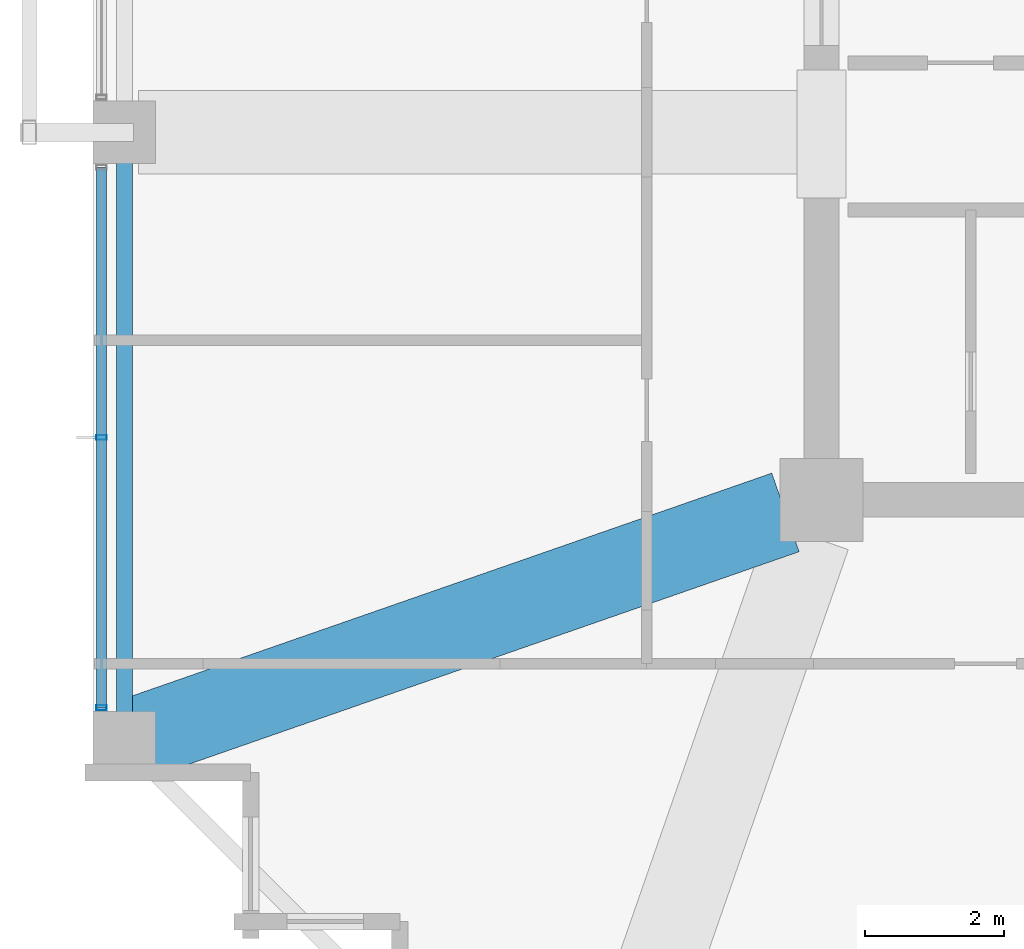
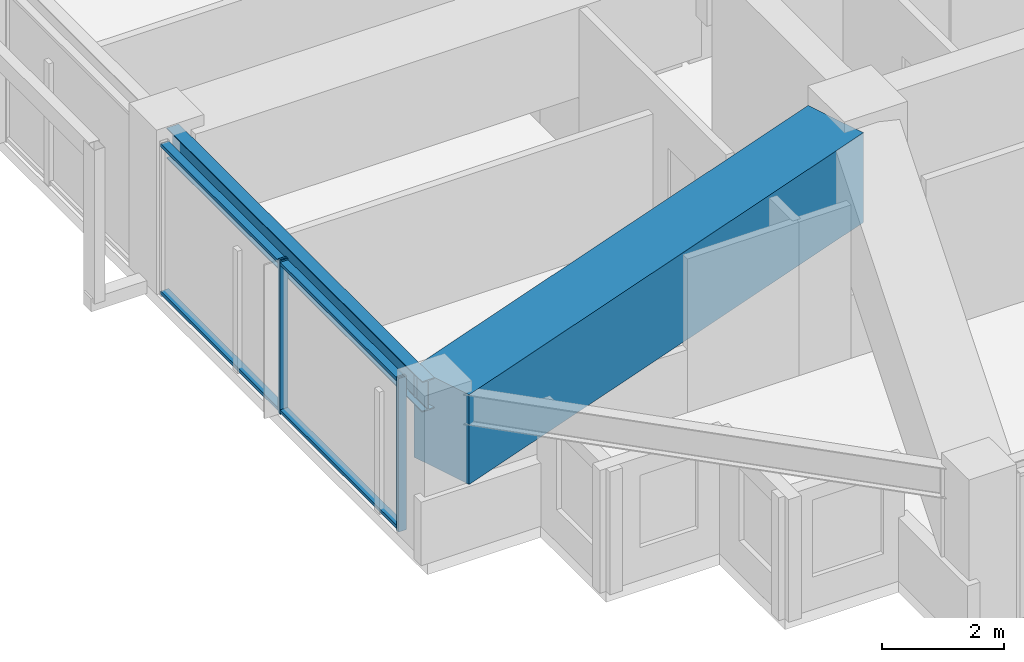
# One storey, part 3 of 37: 4 members, 2 beams, 1 element without a shape of its own.
"""IFC4 building model written with IfcOpenShell, lengths in metres."""

from ifc_helpers import new_model, si_unit, direction, frame, origin, origin_2d, place, context, subcontext, project, spatial, rectangle, hollow_rectangle, i_section, extrude, material, material_profile, profile_set, type_object, element, aggregate, save


model = new_model("IFC4")

# Units and contexts
model_context = context("Model", 3, precision=1e-05, world=origin(), true_north=direction((0.0, 1.0)))
body_context = subcontext(model_context, "Body", "Model", "MODEL_VIEW")
ifc_project = project(units=[si_unit("LENGTHUNIT", "METRE"), si_unit("AREAUNIT", "SQUARE_METRE"), si_unit("VOLUMEUNIT", "CUBIC_METRE"), si_unit("PLANEANGLEUNIT", "RADIAN"), si_unit("MASSUNIT", "GRAM", prefix="KILO")], contexts=[model_context])

# Site, building, storey
site_placement = place(None, origin())
site = spatial("IfcSite", under=ifc_project, at=site_placement, CompositionType="ELEMENT")
building_placement = place(site_placement, origin())
building = spatial("IfcBuilding", under=site, at=building_placement, Name="Kolvaren Belvedere", CompositionType="ELEMENT")
storey_placement = place(building_placement, frame((0.0, 0.0, 186.60009765625)))
storey = spatial("IfcBuildingStorey", under=building, at=storey_placement, Name="L54", CompositionType="ELEMENT", Elevation=186.60009765625)

# Beams
ifc_material_1 = material(Name="Structural steel ASTM A992 Grade 50", Category="steel")
ifc_material_profile_1 = material_profile(ifc_material_1, i_section(OverallWidth=0.22900390625, OverallDepth=0.612060546875, WebThickness=0.011962890625, FlangeThickness=0.01953125, FilletRadius=0.01806640625, at=origin_2d()), Name="W24X84")
ifc_profile_set_1 = profile_set([ifc_material_profile_1], Name="Structural steel ASTM A992 Grade 50")
beam_type_1 = type_object("IfcBeamType", Name="BM-SPAN-W24X84", PredefinedType="SPANDREL", material=ifc_profile_set_1)
beam_1_placement = place(storey_placement, frame((-19.949951171875, -4.802490234375, 2.77392578125), z_axis=(0.0, -1.0, 0.0), x_axis=(1.0, 0.0, 0.0)))
element("IfcBeam", 1, at=beam_1_placement, inside=storey, type_object=beam_type_1, Name="L54 Perimeter Spandrel W2-W1", PredefinedType="SPANDREL", context=body_context, shape_type="SweptSolid", body=[
    extrude(i_section(OverallWidth=0.22900390625, OverallDepth=0.612060546875, WebThickness=0.011962890625, FlangeThickness=0.01953125, FilletRadius=0.01806640625, at=origin_2d()), origin(), (0.0, 0.0, 1.0), 8.39501953125),
])
ifc_material_2 = material(Name="Concrete C50/60", Category="concrete")
ifc_material_profile_2 = material_profile(ifc_material_2, rectangle(XDim=1.199951171875, YDim=1.800048828125, at=origin_2d()), Name="RC 1200X1800")
ifc_profile_set_2 = profile_set([ifc_material_profile_2], Name="Concrete C50/60")
beam_type_2 = type_object("IfcBeamType", Name="BM-TG-1800", PredefinedType="BEAM", material=ifc_profile_set_2)
beam_2_placement = place(storey_placement, frame((-10.41943359375, -10.080810546875, 2.179931640625), z_axis=(-0.944366798861, -0.328894130701, 0.0), x_axis=(0.328894130701, -0.944366798861, 0.0)))
element("IfcBeam", 2, at=beam_2_placement, inside=storey, type_object=beam_type_2, Name="L54 Corner Core-to-Perimeter Girder CC1-W1", PredefinedType="BEAM", context=body_context, shape_type="SweptSolid", body=[
    extrude(rectangle(XDim=1.199951171875, YDim=1.800048828125, at=origin_2d()), origin(), (0.0, 0.0, 1.0), 9.912109375),
])

# Curtain wall, members
ifc_material_3 = material(Name="Anodised pale-metal aluminium AA 6063-T6", Category="aluminium")
curtain_wall_type = type_object("IfcCurtainWallType", Name="CW-Z5-HIGH", PredefinedType="NOTDEFINED", material=ifc_material_3)
curtain_wall_placement = place(storey_placement, origin())
curtain_wall = element("IfcCurtainWall", 3, at=curtain_wall_placement, inside=storey, type_object=curtain_wall_type, Name="L54 Unitised Curtain Wall FCW-L54-W-B1", PredefinedType="NOTDEFINED")
ifc_material_4 = material(Name="Anodised pale-metal aluminium AA 6063-T6", Category="aluminium")
ifc_material_profile_3 = material_profile(ifc_material_4, hollow_rectangle(XDim=0.070068359375, YDim=0.14990234375, WallThickness=0.004150390625, at=origin_2d()), Name="ALU-MUL-150X70")
ifc_profile_set_3 = profile_set([ifc_material_profile_3], Name="Anodised pale-metal aluminium AA 6063-T6")
member_type_1 = type_object("IfcMemberType", Name="CW-MUL-150", PredefinedType="MULLION", material=ifc_profile_set_3)
member_1_placement = place(storey_placement, frame((-20.280029296875, -12.89501953125, 0.0), z_axis=(0.0, 0.0, 1.0), x_axis=(0.0, 1.0, 0.0)))
member_1 = element("IfcMember", 4, at=member_1_placement, type_object=member_type_1, Name="FCW-L54-W-B1 Unitised Mullion 1", PredefinedType="MULLION", context=body_context, shape_type="SweptSolid", body=[
    extrude(hollow_rectangle(XDim=0.070068359375, YDim=0.14990234375, WallThickness=0.004150390625, at=origin_2d()), origin(), (0.0, 0.0, 1.0), 3.079833984375),
])
member_2_placement = place(storey_placement, frame((-20.280029296875, -9.0, 0.0), z_axis=(0.0, 0.0, 1.0), x_axis=(0.0, 1.0, 0.0)))
member_2 = element("IfcMember", 5, at=member_2_placement, type_object=member_type_1, Name="FCW-L54-W-B1 Unitised Mullion 2", PredefinedType="MULLION", context=body_context, shape_type="SweptSolid", body=[
    extrude(hollow_rectangle(XDim=0.070068359375, YDim=0.14990234375, WallThickness=0.004150390625, at=origin_2d()), origin(), (0.0, 0.0, 1.0), 3.079833984375),
])
ifc_material_5 = material(Name="Anodised pale-metal aluminium AA 6063-T6", Category="aluminium")
ifc_material_profile_4 = material_profile(ifc_material_5, hollow_rectangle(XDim=0.06494140625, YDim=0.14990234375, WallThickness=0.00390625, at=origin_2d()), Name="ALU-TRN-150X65")
ifc_profile_set_4 = profile_set([ifc_material_profile_4], Name="Anodised pale-metal aluminium AA 6063-T6")
member_type_2 = type_object("IfcMemberType", Name="CW-TRN-150", PredefinedType="USERDEFINED", material=ifc_profile_set_4)
member_3_placement = place(storey_placement, frame((-20.280029296875, -12.89501953125, 0.059814453125), z_axis=(0.0, 1.0, 0.0), x_axis=(0.0, 0.0, 1.0)))
member_3 = element("IfcMember", 6, at=member_3_placement, type_object=member_type_2, Name="FCW-L54-W-B1 Sill Transom", ObjectType="TRANSOM", PredefinedType="USERDEFINED", context=body_context, shape_type="SweptSolid", body=[
    extrude(hollow_rectangle(XDim=0.06494140625, YDim=0.14990234375, WallThickness=0.00390625, at=origin_2d()), origin(), (0.0, 0.0, 1.0), 7.7900390625),
])
member_4_placement = place(storey_placement, frame((-20.280029296875, -12.89501953125, 3.02001953125), z_axis=(0.0, 1.0, 0.0), x_axis=(0.0, 0.0, 1.0)))
member_4 = element("IfcMember", 7, at=member_4_placement, type_object=member_type_2, Name="FCW-L54-W-B1 Head Transom", ObjectType="TRANSOM", PredefinedType="USERDEFINED", context=body_context, shape_type="SweptSolid", body=[
    extrude(hollow_rectangle(XDim=0.06494140625, YDim=0.14990234375, WallThickness=0.00390625, at=origin_2d()), origin(), (0.0, 0.0, 1.0), 7.7900390625),
])
aggregate(curtain_wall, [member_1, member_2, member_3, member_4])

save(model, "model.ifc")
